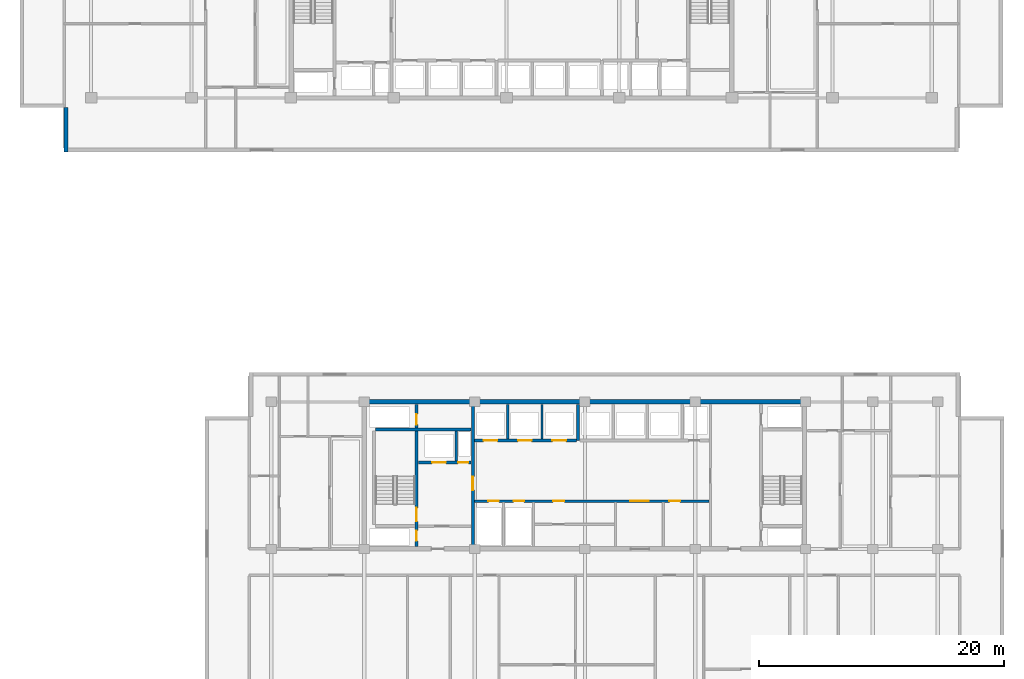
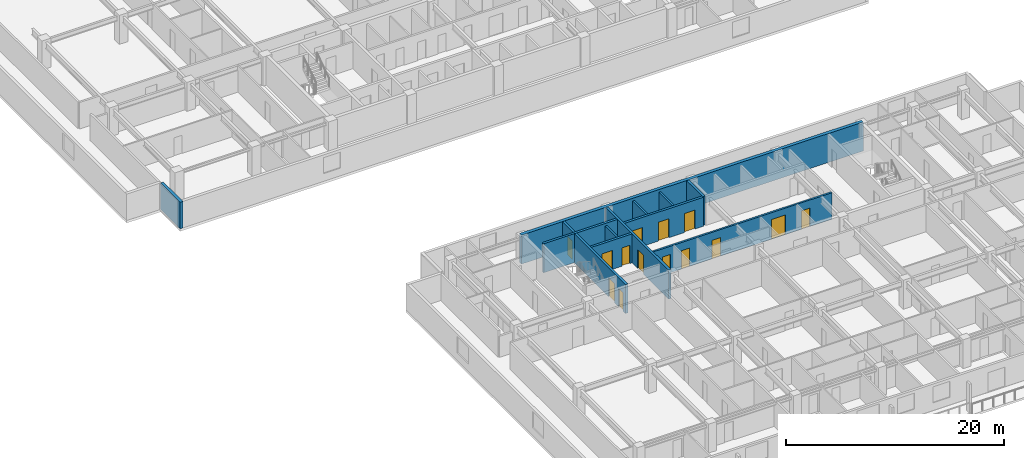
# One storey, part 7 of 22: 14 doors, 12 walls, 14 openings.
"""IFC4 building model written with IfcOpenShell, lengths in metres."""

from ifc_helpers import new_model, si_unit, direction, frame, frame_2d, origin, place, context, subcontext, project, spatial, rectangle, extrude, material, layer, layer_set, type_object, element, fill, save


model = new_model("IFC4")

# Units and contexts
model_context = context("Model", 3, precision=1e-05, world=origin(), true_north=direction((0.0, 1.0)))
body_context = subcontext(model_context, "Body", "Model", "MODEL_VIEW")
ifc_project = project(units=[si_unit("LENGTHUNIT", "METRE"), si_unit("AREAUNIT", "SQUARE_METRE"), si_unit("VOLUMEUNIT", "CUBIC_METRE"), si_unit("PLANEANGLEUNIT", "RADIAN"), si_unit("MASSUNIT", "GRAM", prefix="KILO")], contexts=[model_context])

# Site, building, storey
site_placement = place(None, origin())
site = spatial("IfcSite", under=ifc_project, at=site_placement, CompositionType="ELEMENT")
building_placement = place(site_placement, origin())
building = spatial("IfcBuilding", under=site, at=building_placement, Name="Korimba Cascade Residences", CompositionType="ELEMENT")
storey_placement = place(building_placement, frame((0.0, 0.0, 90.550048828125)))
storey = spatial("IfcBuildingStorey", under=building, at=storey_placement, Name="L25", CompositionType="ELEMENT", Elevation=90.550048828125)

# Walls
ifc_material_1 = material(Name="Precast concrete C40/50", Category="concrete")
ifc_layer_1 = layer(ifc_material_1, 0.300048828125)
ifc_layer_set_1 = layer_set([ifc_layer_1], Name="Precast concrete C40/50")
wall_type_1 = type_object("IfcWallType", Name="EW-STONE-300", PredefinedType="STANDARD", material=ifc_layer_set_1)
wall_1_placement = place(storey_placement, frame((57.75, 54.39990234375, 0.0), z_axis=(0.0, 0.0, 1.0), x_axis=(0.0, -1.0, 0.0)))
element("IfcWall", 1, at=wall_1_placement, inside=storey, type_object=wall_type_1, Name="L25 T1 Perimeter Stone Wall E11", PredefinedType="STANDARD", context=body_context, shape_type="SweptSolid", body=[
    extrude(rectangle(XDim=3.599853515625, YDim=0.300048828125, at=frame_2d((1.7998046875, 0.0))), origin(), (0.0, 0.0, 1.0), 2.969970703125),
])
ifc_material_2 = material(Name="Concrete C65/80", Category="concrete")
ifc_layer_2 = layer(ifc_material_2, 0.35009765625)
ifc_layer_set_2 = layer_set([ifc_layer_2], Name="Concrete C65/80")
wall_type_2 = type_object("IfcWallType", Name="WAL-CORE-350", PredefinedType="SHEAR", material=ifc_layer_set_2)
wall_2_placement = place(storey_placement, frame((81.925048828125, 30.39990234375, 0.0), z_axis=(0.0, 0.0, 1.0), x_axis=(1.0, 0.0, 0.0)))
element("IfcWall", 2, at=wall_2_placement, inside=storey, type_object=wall_type_2, Name="L25 Core Shear Wall CW-L25-T2-N", PredefinedType="SHEAR", context=body_context, shape_type="SweptSolid", body=[
    extrude(rectangle(XDim=36.264892578125, YDim=0.35009765625, at=frame_2d((18.13232421875, 0.0))), origin(), (0.0, 0.0, 1.0), 3.25),
])
ifc_material_3 = material(Name="Concrete C40/50", Category="concrete")
ifc_layer_3 = layer(ifc_material_3, 0.199951171875)
ifc_layer_set_3 = layer_set([ifc_layer_3], Name="Concrete C40/50")
wall_type_3 = type_object("IfcWallType", Name="WAL-PART-200", PredefinedType="PARTITIONING", material=ifc_layer_set_3)
wall_3_placement = place(storey_placement, frame((89.60009765625, 25.580078125, 0.0), z_axis=(0.0, 0.0, 1.0), x_axis=(0.0, 1.0, 0.0)))
element("IfcWall", 3, at=wall_3_placement, inside=storey, type_object=wall_type_3, Name="L25 Partition Wall CW-L25-T2-FFLDIV", PredefinedType="PARTITIONING", context=body_context, shape_type="SweptSolid", body=[
    extrude(rectangle(XDim=2.419921875, YDim=0.199951171875, at=frame_2d((1.2099609375, 0.0))), origin(), (0.0, 0.0, 1.0), 2.969970703125),
])
for number, where, z_axis, x_axis, name in (
    (4, (93.800048828125, 27.3798828125, 0.0), (0.0, 0.0, 1.0), (0.0, 1.0, 0.0), "L25 Partition Wall CW-L25-T2-B1D1"),
    (5, (96.60009765625, 27.3798828125, 0.0), (0.0, 0.0, 1.0), (0.0, 1.0, 0.0), "L25 Partition Wall CW-L25-T2-B1D2"),
):
    element("IfcWall", number, at=place(storey_placement, frame(where, z_axis=z_axis, x_axis=x_axis)), inside=storey, type_object=wall_type_3, Name=name, PredefinedType="PARTITIONING", context=body_context, shape_type="SweptSolid", body=[
        extrude(rectangle(XDim=2.820068359375, YDim=0.199951171875, at=frame_2d((1.41015625, 0.0))), origin(), (0.0, 0.0, 1.0), 2.969970703125),
    ])

# Wall, openings, doors
wall_4_placement = place(storey_placement, frame((91.080078125, 22.300048828125, 0.0), z_axis=(0.0, 0.0, 1.0), x_axis=(1.0, 0.0, 0.0)))
wall_4 = element("IfcWall", 6, at=wall_4_placement, inside=storey, type_object=wall_type_3, Name="L25 Partition Wall CW-L25-T2-SRVROW", PredefinedType="PARTITIONING", context=body_context, shape_type="SweptSolid", body=[
    extrude(rectangle(XDim=19.139892578125, YDim=0.199951171875, at=frame_2d((9.56982421875, 0.0))), origin(), (0.0, 0.0, 1.0), 2.969970703125),
])
opening_1_placement = place(wall_4_placement, frame((1.14990234375, 0.0, 0.0)))
opening_1 = element("IfcOpeningElement", 7, at=opening_1_placement, cuts=wall_4, Name="Opening D-RS1", PredefinedType="OPENING", context=body_context, shape_type="SweptSolid", body=[
    extrude(rectangle(XDim=0.85009765625, YDim=2.050048828125, at=frame_2d((0.425048828125, 1.02490234375))), frame((0.0, 0.10986328125, 0.0), z_axis=(0.0, -1.0, 0.0), x_axis=(1.0, 0.0, 0.0)), (0.0, 0.0, 1.0), 0.219970703125),
])
opening_2_placement = place(wall_4_placement, frame((3.199951171875, 0.0, 0.0)))
opening_2 = element("IfcOpeningElement", 8, at=opening_2_placement, cuts=wall_4, Name="Opening D-RS1", PredefinedType="OPENING", context=body_context, shape_type="SweptSolid", body=[
    extrude(rectangle(XDim=0.85009765625, YDim=2.050048828125, at=frame_2d((0.425048828125, 1.02490234375))), frame((0.0, 0.10986328125, 0.0), z_axis=(0.0, -1.0, 0.0), x_axis=(1.0, 0.0, 0.0)), (0.0, 0.0, 1.0), 0.219970703125),
])
opening_3_placement = place(wall_4_placement, frame((12.719970703125, 0.0, 0.0)))
opening_3 = element("IfcOpeningElement", 9, at=opening_3_placement, cuts=wall_4, Name="Opening D-FD8", PredefinedType="OPENING", context=body_context, shape_type="SweptSolid", body=[
    extrude(rectangle(XDim=1.5, YDim=2.199951171875, at=frame_2d((0.75, 1.10009765625))), frame((0.0, 0.10986328125, 0.0), z_axis=(0.0, -1.0, 0.0), x_axis=(1.0, 0.0, 0.0)), (0.0, 0.0, 1.0), 0.219970703125),
])
opening_4_placement = place(wall_4_placement, frame((6.419921875, 0.0, 0.0)))
opening_4 = element("IfcOpeningElement", 10, at=opening_4_placement, cuts=wall_4, Name="Opening D-IN1", PredefinedType="OPENING", context=body_context, shape_type="SweptSolid", body=[
    extrude(rectangle(XDim=0.919921875, YDim=2.080078125, at=frame_2d((0.4599609375, 1.0400390625))), frame((0.0, 0.10986328125, 0.0), z_axis=(0.0, -1.0, 0.0), x_axis=(1.0, 0.0, 0.0)), (0.0, 0.0, 1.0), 0.219970703125),
])
opening_5_placement = place(wall_4_placement, frame((15.919921875, 0.0, 0.0)))
opening_5 = element("IfcOpeningElement", 11, at=opening_5_placement, cuts=wall_4, Name="Opening D-IN2", PredefinedType="OPENING", context=body_context, shape_type="SweptSolid", body=[
    extrude(rectangle(XDim=0.8798828125, YDim=2.06005859375, at=frame_2d((0.43994140625, 1.030029296875))), frame((0.0, 0.10986328125, 0.0), z_axis=(0.0, -1.0, 0.0), x_axis=(1.0, 0.0, 0.0)), (0.0, 0.0, 1.0), 0.219970703125),
])
ifc_material_4 = material(Name="Fire-Rated Steel Riser Access Door", Category="steel")
door_type_1 = type_object("IfcDoorType", Name="DR-FD60-850", OperationType="NOTDEFINED", PredefinedType="DOOR", material=ifc_material_4)
door_1_placement = place(opening_1_placement, origin())
door_1 = element("IfcDoor", 12, at=door_1_placement, inside=storey, type_object=door_type_1, Name="L25 T2 Electrical Riser Door", OperationType="SINGLE_SWING_LEFT", OverallHeight=2.050048828125, OverallWidth=0.85009765625, PredefinedType="DOOR", context=body_context, shape_type="SweptSolid", body=[
    extrude(rectangle(XDim=0.85009765625, YDim=2.050048828125, at=frame_2d((0.425048828125, 1.02490234375))), frame((0.0, 0.02490234375, 0.0), z_axis=(0.0, -1.0, 0.0), x_axis=(1.0, 0.0, 0.0)), (0.0, 0.0, 1.0), 0.050048828125),
])
fill(opening_1, door_1)
door_2_placement = place(opening_2_placement, origin())
door_2 = element("IfcDoor", 13, at=door_2_placement, inside=storey, type_object=door_type_1, Name="L25 T2 Plumbing Riser Door", OperationType="SINGLE_SWING_RIGHT", OverallHeight=2.050048828125, OverallWidth=0.85009765625, PredefinedType="DOOR", context=body_context, shape_type="SweptSolid", body=[
    extrude(rectangle(XDim=0.85009765625, YDim=2.050048828125, at=frame_2d((0.425048828125, 1.02490234375))), frame((0.0, 0.02490234375, 0.0), z_axis=(0.0, -1.0, 0.0), x_axis=(1.0, 0.0, 0.0)), (0.0, 0.0, 1.0), 0.050048828125),
])
fill(opening_2, door_2)
ifc_material_5 = material(Name="Fire-Rated Glazed Lift Lobby Double Door", Category="glass")
door_type_2 = type_object("IfcDoorType", Name="DR-FD90-1500", OperationType="NOTDEFINED", PredefinedType="DOOR", material=ifc_material_5)
door_3_placement = place(opening_3_placement, origin())
door_3 = element("IfcDoor", 14, at=door_3_placement, inside=storey, type_object=door_type_2, Name="L25 T2 Lift Lobby Foyer Door", OperationType="DOUBLE_DOOR_SINGLE_SWING", OverallHeight=2.199951171875, OverallWidth=1.5, PredefinedType="DOOR", context=body_context, shape_type="SweptSolid", body=[
    extrude(rectangle(XDim=1.5, YDim=2.199951171875, at=frame_2d((0.75, 1.10009765625))), frame((0.0, 0.02490234375, 0.0), z_axis=(0.0, -1.0, 0.0), x_axis=(1.0, 0.0, 0.0)), (0.0, 0.0, 1.0), 0.050048828125),
])
fill(opening_3, door_3)
ifc_material_6 = material(Name="Acoustic Timber Bedroom Door", Category="wood")
door_type_3 = type_object("IfcDoorType", Name="DR-INT-880", OperationType="NOTDEFINED", PredefinedType="DOOR", material=ifc_material_6)
door_4_placement = place(opening_5_placement, origin())
door_4 = element("IfcDoor", 15, at=door_4_placement, inside=storey, type_object=door_type_3, Name="L25 T2 Staff WC Door", OperationType="SINGLE_SWING_RIGHT", OverallHeight=2.06005859375, OverallWidth=0.8798828125, PredefinedType="DOOR", context=body_context, shape_type="SweptSolid", body=[
    extrude(rectangle(XDim=0.8798828125, YDim=2.06005859375, at=frame_2d((0.43994140625, 1.030029296875))), frame((0.0, 0.02490234375, 0.0), z_axis=(0.0, -1.0, 0.0), x_axis=(1.0, 0.0, 0.0)), (0.0, 0.0, 1.0), 0.050048828125),
])
fill(opening_5, door_4)
ifc_material_7 = material(Name="Acoustic Timber Living Door", Category="wood")
door_type_4 = type_object("IfcDoorType", Name="DR-INT-920", OperationType="NOTDEFINED", PredefinedType="DOOR", material=ifc_material_7)
door_5_placement = place(opening_4_placement, origin())
door_5 = element("IfcDoor", 16, at=door_5_placement, inside=storey, type_object=door_type_4, Name="L25 T2 Locker Door", OperationType="SINGLE_SWING_LEFT", OverallHeight=2.080078125, OverallWidth=0.919921875, PredefinedType="DOOR", context=body_context, shape_type="SweptSolid", body=[
    extrude(rectangle(XDim=0.919921875, YDim=2.080078125, at=frame_2d((0.4599609375, 1.0400390625))), frame((0.0, 0.02490234375, 0.0), z_axis=(0.0, -1.0, 0.0), x_axis=(1.0, 0.0, 0.0)), (0.0, 0.0, 1.0), 0.050048828125),
])
fill(opening_4, door_5)

ifc_material_8 = material(Name="Concrete C50/60", Category="concrete")
ifc_layer_4 = layer(ifc_material_8, 0.25)
ifc_layer_set_4 = layer_set([ifc_layer_4], Name="Concrete C50/60")
wall_type_4 = type_object("IfcWallType", Name="WAL-SHAFT-250", PredefinedType="SHEAR", material=ifc_layer_set_4)
wall_5_placement = place(storey_placement, frame((86.364990234375, 18.60009765625, 0.0), z_axis=(0.0, 0.0, 1.0), x_axis=(0.0, 1.0, 0.0)))
wall_5 = element("IfcWall", 17, at=wall_5_placement, inside=storey, type_object=wall_type_4, Name="L25 Core Shear Wall CW-L25-T2-STE1E", PredefinedType="SHEAR", context=body_context, shape_type="SweptSolid", body=[
    extrude(rectangle(XDim=11.599853515625, YDim=0.25, at=frame_2d((5.7998046875, 0.0))), origin(), (0.0, 0.0, 1.0), 3.25),
])
opening_6_placement = place(wall_5_placement, frame((0.449951171875, 0.0, 0.0)))
opening_6 = element("IfcOpeningElement", 18, at=opening_6_placement, cuts=wall_5, Name="Opening D-RS1", PredefinedType="OPENING", context=body_context, shape_type="SweptSolid", body=[
    extrude(rectangle(XDim=0.85009765625, YDim=2.050048828125, at=frame_2d((0.425048828125, 1.02490234375))), frame((0.0, 0.135009765625, 0.0), z_axis=(0.0, -1.0, 0.0), x_axis=(1.0, 0.0, 0.0)), (0.0, 0.0, 1.0), 0.27001953125),
])
opening_7_placement = place(wall_5_placement, frame((2.050048828125, 0.0, 0.0)))
opening_7 = element("IfcOpeningElement", 19, at=opening_7_placement, cuts=wall_5, Name="Opening D-FD1", PredefinedType="OPENING", context=body_context, shape_type="SweptSolid", body=[
    extrude(rectangle(XDim=1.10009765625, YDim=2.10009765625, at=frame_2d((0.550048828125, 1.050048828125))), frame((0.0, 0.135009765625, 0.0), z_axis=(0.0, -1.0, 0.0), x_axis=(1.0, 0.0, 0.0)), (0.0, 0.0, 1.0), 0.27001953125),
])
opening_8_placement = place(wall_5_placement, frame((9.949951171875, 0.0, 0.0)))
opening_8 = element("IfcOpeningElement", 20, at=opening_8_placement, cuts=wall_5, Name="Opening D-RS1", PredefinedType="OPENING", context=body_context, shape_type="SweptSolid", body=[
    extrude(rectangle(XDim=0.85009765625, YDim=2.050048828125, at=frame_2d((0.425048828125, 1.02490234375))), frame((0.0, 0.135009765625, 0.0), z_axis=(0.0, -1.0, 0.0), x_axis=(1.0, 0.0, 0.0)), (0.0, 0.0, 1.0), 0.27001953125),
])
ifc_material_9 = material(Name="Fire-Rated Steel Core Door", Category="steel")
door_type_5 = type_object("IfcDoorType", Name="DR-FD120-1100", OperationType="NOTDEFINED", PredefinedType="DOOR", material=ifc_material_9)
door_6_placement = place(opening_7_placement, origin())
door_6 = element("IfcDoor", 21, at=door_6_placement, inside=storey, type_object=door_type_5, Name="L25 Fire Stair ST-E1 Door", OperationType="SINGLE_SWING_RIGHT", OverallHeight=2.10009765625, OverallWidth=1.10009765625, PredefinedType="DOOR", context=body_context, shape_type="SweptSolid", body=[
    extrude(rectangle(XDim=1.10009765625, YDim=2.10009765625, at=frame_2d((0.550048828125, 1.050048828125))), frame((0.0, 0.02490234375, 0.0), z_axis=(0.0, -1.0, 0.0), x_axis=(1.0, 0.0, 0.0)), (0.0, 0.0, 1.0), 0.050048828125),
])
fill(opening_7, door_6)
door_7_placement = place(opening_6_placement, origin())
door_7 = element("IfcDoor", 22, at=door_7_placement, inside=storey, type_object=door_type_1, Name="L25 T2 Hydrant Riser Door", OperationType="SINGLE_SWING_LEFT", OverallHeight=2.050048828125, OverallWidth=0.85009765625, PredefinedType="DOOR", context=body_context, shape_type="SweptSolid", body=[
    extrude(rectangle(XDim=0.85009765625, YDim=2.050048828125, at=frame_2d((0.425048828125, 1.02490234375))), frame((0.0, 0.02490234375, 0.0), z_axis=(0.0, -1.0, 0.0), x_axis=(1.0, 0.0, 0.0)), (0.0, 0.0, 1.0), 0.050048828125),
])
fill(opening_6, door_7)
door_8_placement = place(opening_8_placement, origin())
door_8 = element("IfcDoor", 23, at=door_8_placement, inside=storey, type_object=door_type_1, Name="L25 T2 Smoke Shaft Door", OperationType="SINGLE_SWING_LEFT", OverallHeight=2.050048828125, OverallWidth=0.85009765625, PredefinedType="DOOR", context=body_context, shape_type="SweptSolid", body=[
    extrude(rectangle(XDim=0.85009765625, YDim=2.050048828125, at=frame_2d((0.425048828125, 1.02490234375))), frame((0.0, 0.02490234375, 0.0), z_axis=(0.0, -1.0, 0.0), x_axis=(1.0, 0.0, 0.0)), (0.0, 0.0, 1.0), 0.050048828125),
])
fill(opening_8, door_8)

# Wall
wall_6_placement = place(storey_placement, frame((83.0, 28.125, 0.0), z_axis=(0.0, 0.0, 1.0), x_axis=(1.0, 0.0, 0.0)))
element("IfcWall", 24, at=wall_6_placement, inside=storey, type_object=wall_type_4, Name="L25 Core Shear Wall CW-L25-T2-STE1N", PredefinedType="SHEAR", context=body_context, shape_type="SweptSolid", body=[
    extrude(rectangle(XDim=7.820068359375, YDim=0.25, at=frame_2d((3.91015625, 0.0))), origin(), (0.0, 0.0, 1.0), 3.25),
])

# Wall, openings, doors
wall_7_placement = place(storey_placement, frame((86.5, 25.449951171875, 0.0), z_axis=(0.0, 0.0, 1.0), x_axis=(1.0, 0.0, 0.0)))
wall_7 = element("IfcWall", 25, at=wall_7_placement, inside=storey, type_object=wall_type_4, Name="L25 Core Shear Wall CW-L25-T2-FFLN", PredefinedType="SHEAR", context=body_context, shape_type="SweptSolid", body=[
    extrude(rectangle(XDim=4.320068359375, YDim=0.25, at=frame_2d((2.16015625, 0.0))), origin(), (0.0, 0.0, 1.0), 3.25),
])
opening_9_placement = place(wall_7_placement, frame((1.139892578125, 0.0, 0.0)))
opening_9 = element("IfcOpeningElement", 26, at=opening_9_placement, cuts=wall_7, Name="Opening LD-01", PredefinedType="OPENING", context=body_context, shape_type="SweptSolid", body=[
    extrude(rectangle(XDim=1.1201171875, YDim=2.1201171875, at=frame_2d((0.56005859375, 1.06005859375))), frame((0.0, 0.135009765625, 0.0), z_axis=(0.0, -1.0, 0.0), x_axis=(1.0, 0.0, 0.0)), (0.0, 0.0, 1.0), 0.27001953125),
])
opening_10_placement = place(wall_7_placement, frame((3.25, 0.0, 0.0)))
opening_10 = element("IfcOpeningElement", 27, at=opening_10_placement, cuts=wall_7, Name="Opening D-RS1", PredefinedType="OPENING", context=body_context, shape_type="SweptSolid", body=[
    extrude(rectangle(XDim=0.85009765625, YDim=2.050048828125, at=frame_2d((0.425048828125, 1.02490234375))), frame((0.0, 0.135009765625, 0.0), z_axis=(0.0, -1.0, 0.0), x_axis=(1.0, 0.0, 0.0)), (0.0, 0.0, 1.0), 0.27001953125),
])
door_9_placement = place(opening_10_placement, origin())
door_9 = element("IfcDoor", 28, at=door_9_placement, inside=storey, type_object=door_type_1, Name="L25 T2 Pressurisation Riser Door", OperationType="SINGLE_SWING_RIGHT", OverallHeight=2.050048828125, OverallWidth=0.85009765625, PredefinedType="DOOR", context=body_context, shape_type="SweptSolid", body=[
    extrude(rectangle(XDim=0.85009765625, YDim=2.050048828125, at=frame_2d((0.425048828125, 1.02490234375))), frame((0.0, 0.02490234375, 0.0), z_axis=(0.0, -1.0, 0.0), x_axis=(1.0, 0.0, 0.0)), (0.0, 0.0, 1.0), 0.050048828125),
])
fill(opening_10, door_9)
ifc_material_10 = material(Name="Stainless Steel Lift Landing Sliding Door", Category="steel")
door_type_6 = type_object("IfcDoorType", Name="DR-LIFT-1100", OperationType="NOTDEFINED", PredefinedType="DOOR", material=ifc_material_10)
door_10_placement = place(opening_9_placement, origin())
door_10 = element("IfcDoor", 29, at=door_10_placement, inside=storey, type_object=door_type_6, Name="L25 Firefighting Lift Landing Door FFL-E1", OperationType="SLIDING_TO_RIGHT", OverallHeight=2.1201171875, OverallWidth=1.1201171875, PredefinedType="DOOR", context=body_context, shape_type="SweptSolid", body=[
    extrude(rectangle(XDim=1.1201171875, YDim=2.1201171875, at=frame_2d((0.56005859375, 1.06005859375))), frame((0.0, 0.02490234375, 0.0), z_axis=(0.0, -1.0, 0.0), x_axis=(1.0, 0.0, 0.0)), (0.0, 0.0, 1.0), 0.050048828125),
])
fill(opening_9, door_10)

# Wall, opening, door
wall_8_placement = place(storey_placement, frame((90.949951171875, 18.60009765625, 0.0), z_axis=(0.0, 0.0, 1.0), x_axis=(0.0, 1.0, 0.0)))
wall_8 = element("IfcWall", 30, at=wall_8_placement, inside=storey, type_object=wall_type_4, Name="L25 Core Shear Wall CW-L25-T2-FFLE", PredefinedType="SHEAR", context=body_context, shape_type="SweptSolid", body=[
    extrude(rectangle(XDim=11.599853515625, YDim=0.25, at=frame_2d((5.7998046875, 0.0))), origin(), (0.0, 0.0, 1.0), 3.25),
])
opening_11_placement = place(wall_8_placement, frame((4.60009765625, 0.0, 0.0)))
opening_11 = element("IfcOpeningElement", 31, at=opening_11_placement, cuts=wall_8, Name="Opening D-FD1", PredefinedType="OPENING", context=body_context, shape_type="SweptSolid", body=[
    extrude(rectangle(XDim=1.10009765625, YDim=2.10009765625, at=frame_2d((0.550048828125, 1.050048828125))), frame((0.0, 0.135009765625, 0.0), z_axis=(0.0, -1.0, 0.0), x_axis=(1.0, 0.0, 0.0)), (0.0, 0.0, 1.0), 0.27001953125),
])
door_11_placement = place(opening_11_placement, origin())
door_11 = element("IfcDoor", 32, at=door_11_placement, inside=storey, type_object=door_type_5, Name="L25 T2 Firefighting Lobby to Lift Lobby Door", OperationType="SINGLE_SWING_RIGHT", OverallHeight=2.10009765625, OverallWidth=1.10009765625, PredefinedType="DOOR", context=body_context, shape_type="SweptSolid", body=[
    extrude(rectangle(XDim=1.10009765625, YDim=2.10009765625, at=frame_2d((0.550048828125, 1.050048828125))), frame((0.0, 0.02490234375, 0.0), z_axis=(0.0, -1.0, 0.0), x_axis=(1.0, 0.0, 0.0)), (0.0, 0.0, 1.0), 0.050048828125),
])
fill(opening_11, door_11)

# Wall, openings, doors
wall_9_placement = place(storey_placement, frame((91.080078125, 27.25, 0.0), z_axis=(0.0, 0.0, 1.0), x_axis=(1.0, 0.0, 0.0)))
wall_9 = element("IfcWall", 33, at=wall_9_placement, inside=storey, type_object=wall_type_4, Name="L25 Core Shear Wall CW-L25-T2-B1S", PredefinedType="SHEAR", context=body_context, shape_type="SweptSolid", body=[
    extrude(rectangle(XDim=8.33984375, YDim=0.25, at=frame_2d((4.169921875, 0.0))), origin(), (0.0, 0.0, 1.0), 3.25),
])
opening_12_placement = place(wall_9_placement, frame((0.760009765625, 0.0, 0.0)))
opening_12 = element("IfcOpeningElement", 34, at=opening_12_placement, cuts=wall_9, Name="Opening LD-01", PredefinedType="OPENING", context=body_context, shape_type="SweptSolid", body=[
    extrude(rectangle(XDim=1.1201171875, YDim=2.1201171875, at=frame_2d((0.56005859375, 1.06005859375))), frame((0.0, 0.135009765625, 0.0), z_axis=(0.0, -1.0, 0.0), x_axis=(1.0, 0.0, 0.0)), (0.0, 0.0, 1.0), 0.27001953125),
])
opening_13_placement = place(wall_9_placement, frame((3.56005859375, 0.0, 0.0)))
opening_13 = element("IfcOpeningElement", 35, at=opening_13_placement, cuts=wall_9, Name="Opening LD-01", PredefinedType="OPENING", context=body_context, shape_type="SweptSolid", body=[
    extrude(rectangle(XDim=1.1201171875, YDim=2.1201171875, at=frame_2d((0.56005859375, 1.06005859375))), frame((0.0, 0.135009765625, 0.0), z_axis=(0.0, -1.0, 0.0), x_axis=(1.0, 0.0, 0.0)), (0.0, 0.0, 1.0), 0.27001953125),
])
opening_14_placement = place(wall_9_placement, frame((6.360107421875, 0.0, 0.0)))
opening_14 = element("IfcOpeningElement", 36, at=opening_14_placement, cuts=wall_9, Name="Opening LD-01", PredefinedType="OPENING", context=body_context, shape_type="SweptSolid", body=[
    extrude(rectangle(XDim=1.1201171875, YDim=2.1201171875, at=frame_2d((0.56005859375, 1.06005859375))), frame((0.0, 0.135009765625, 0.0), z_axis=(0.0, -1.0, 0.0), x_axis=(1.0, 0.0, 0.0)), (0.0, 0.0, 1.0), 0.27001953125),
])
door_12_placement = place(opening_12_placement, origin())
door_12 = element("IfcDoor", 37, at=door_12_placement, inside=storey, type_object=door_type_6, Name="L25 Lift Landing Door PL-E1", OperationType="SLIDING_TO_LEFT", OverallHeight=2.1201171875, OverallWidth=1.1201171875, PredefinedType="DOOR", context=body_context, shape_type="SweptSolid", body=[
    extrude(rectangle(XDim=1.1201171875, YDim=2.1201171875, at=frame_2d((0.56005859375, 1.06005859375))), frame((0.0, 0.02490234375, 0.0), z_axis=(0.0, -1.0, 0.0), x_axis=(1.0, 0.0, 0.0)), (0.0, 0.0, 1.0), 0.050048828125),
])
fill(opening_12, door_12)
door_13_placement = place(opening_13_placement, origin())
door_13 = element("IfcDoor", 38, at=door_13_placement, inside=storey, type_object=door_type_6, Name="L25 Lift Landing Door PL-E2", OperationType="SLIDING_TO_LEFT", OverallHeight=2.1201171875, OverallWidth=1.1201171875, PredefinedType="DOOR", context=body_context, shape_type="SweptSolid", body=[
    extrude(rectangle(XDim=1.1201171875, YDim=2.1201171875, at=frame_2d((0.56005859375, 1.06005859375))), frame((0.0, 0.02490234375, 0.0), z_axis=(0.0, -1.0, 0.0), x_axis=(1.0, 0.0, 0.0)), (0.0, 0.0, 1.0), 0.050048828125),
])
fill(opening_13, door_13)
door_14_placement = place(opening_14_placement, origin())
door_14 = element("IfcDoor", 39, at=door_14_placement, inside=storey, type_object=door_type_6, Name="L25 Lift Landing Door PL-E3", OperationType="SLIDING_TO_LEFT", OverallHeight=2.1201171875, OverallWidth=1.1201171875, PredefinedType="DOOR", context=body_context, shape_type="SweptSolid", body=[
    extrude(rectangle(XDim=1.1201171875, YDim=2.1201171875, at=frame_2d((0.56005859375, 1.06005859375))), frame((0.0, 0.02490234375, 0.0), z_axis=(0.0, -1.0, 0.0), x_axis=(1.0, 0.0, 0.0)), (0.0, 0.0, 1.0), 0.050048828125),
])
fill(opening_14, door_14)

# Wall
wall_10_placement = place(storey_placement, frame((99.550048828125, 27.25, 0.0), z_axis=(0.0, 0.0, 1.0), x_axis=(0.0, 1.0, 0.0)))
element("IfcWall", 40, at=wall_10_placement, inside=storey, type_object=wall_type_4, Name="L25 Core Shear Wall CW-L25-T2-B12DIV", PredefinedType="SHEAR", context=body_context, shape_type="SweptSolid", body=[
    extrude(rectangle(XDim=2.949951171875, YDim=0.25, at=frame_2d((1.47509765625, 0.0))), origin(), (0.0, 0.0, 1.0), 3.25),
])

save(model, "model.ifc")
